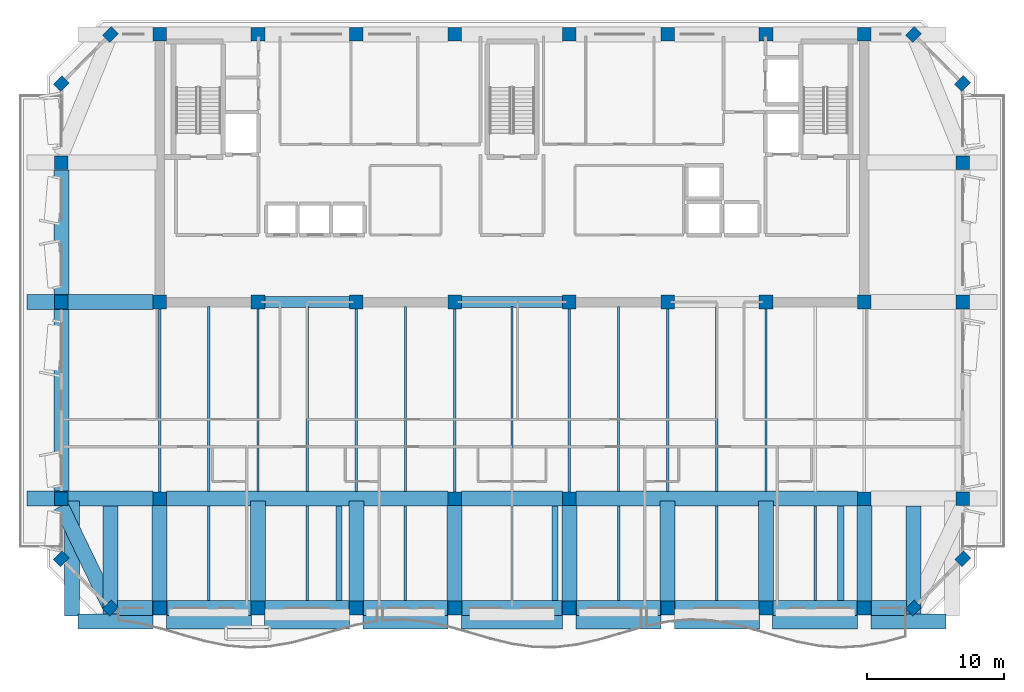
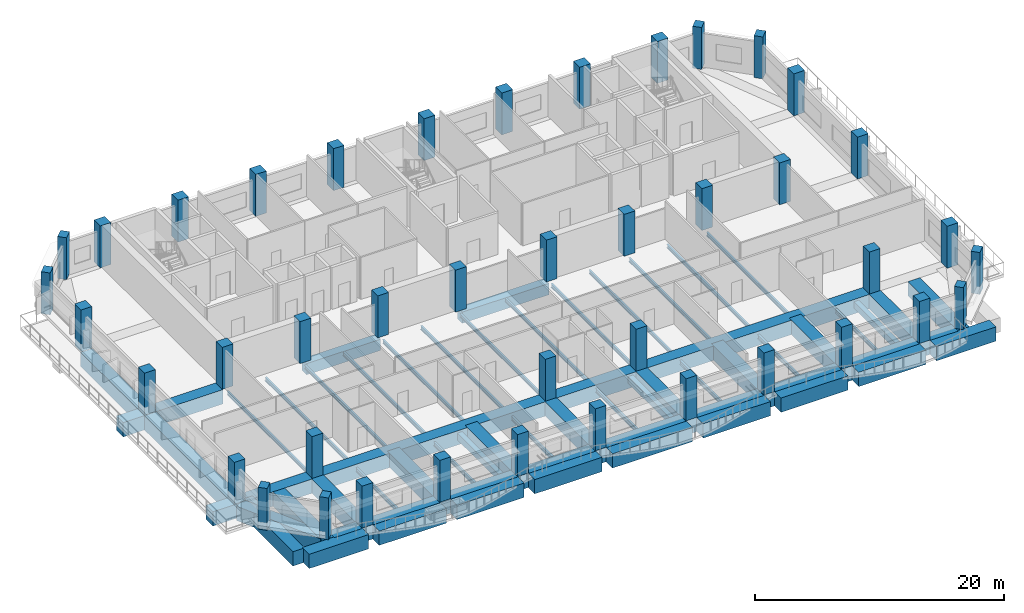
# One storey, part 1 of 12: 62 beams, 42 columns.
"""IFC4 building model written with IfcOpenShell, lengths in metres."""

from ifc_helpers import new_model, si_unit, direction, frame, origin, origin_2d, place, context, subcontext, project, spatial, rectangle, i_section, extrude, material, material_profile, profile_set, type_object, element, save


model = new_model("IFC4")

# Units and contexts
model_context = context("Model", 3, precision=1e-05, world=origin(), true_north=direction((0.0, 1.0)))
body_context = subcontext(model_context, "Body", "Model", "MODEL_VIEW")
ifc_project = project(units=[si_unit("LENGTHUNIT", "METRE"), si_unit("AREAUNIT", "SQUARE_METRE"), si_unit("VOLUMEUNIT", "CUBIC_METRE"), si_unit("PLANEANGLEUNIT", "RADIAN"), si_unit("MASSUNIT", "GRAM", prefix="KILO")], contexts=[model_context])

# Site, building, storey
site_placement = place(None, origin())
site = spatial("IfcSite", under=ifc_project, at=site_placement, CompositionType="ELEMENT")
building_placement = place(site_placement, origin())
building = spatial("IfcBuilding", under=site, at=building_placement, Name="Kaelvorn Grand Hotel", CompositionType="ELEMENT")
storey_placement = place(building_placement, frame((0.0, 0.0, 285.89990234375)))
storey = spatial("IfcBuildingStorey", under=building, at=storey_placement, Name="L70", CompositionType="ELEMENT", Elevation=285.89990234375)

# Columns
ifc_material_1 = material(Name="Concrete C60/75", Category="concrete")
ifc_material_profile_1 = material_profile(ifc_material_1, rectangle(XDim=0.89990234375, YDim=0.75, at=origin_2d()), Name="RC PILASTER 900x750")
ifc_profile_set_1 = profile_set([ifc_material_profile_1], Name="Concrete C60/75")
column_type_1 = type_object("IfcColumnType", Name="COL-PIL-900x750-C60", PredefinedType="PILASTER", material=ifc_profile_set_1)
for number, where, z_axis, x_axis, name in (
    (1, (12.60009765625, 7.0, 0.0), (0.0, 0.0, 1.0), (0.707106781187, 0.707106781187, 0.0), "L70 Structural Column CH-01"),
    (2, (71.39990234375, 7.0, 0.0), (0.0, 0.0, 1.0), (0.707106781187, 0.707106781187, 0.0), "L70 Structural Column CH-02"),
    (3, (75.0, 10.60009765625, 0.0), (0.0, 0.0, 1.0), (0.707106781187, 0.707106781187, 0.0), "L70 Structural Column CH-03"),
    (4, (75.0, 45.39990234375, 0.0), (0.0, 0.0, 1.0), (0.707106781187, 0.707106781187, 0.0), "L70 Structural Column CH-04"),
    (5, (71.39990234375, 49.0, 0.0), (0.0, 0.0, 1.0), (0.707106781187, 0.707106781187, 0.0), "L70 Structural Column CH-05"),
    (6, (12.60009765625, 49.0, 0.0), (0.0, 0.0, 1.0), (0.707106781187, 0.707106781187, 0.0), "L70 Structural Column CH-06"),
    (7, (9.0, 45.39990234375, 0.0), (0.0, 0.0, 1.0), (0.707106781187, 0.707106781187, 0.0), "L70 Structural Column CH-07"),
    (8, (9.0, 10.60009765625, 0.0), (0.0, 0.0, 1.0), (0.707106781187, 0.707106781187, 0.0), "L70 Structural Column CH-08"),
):
    element("IfcColumn", number, at=place(storey_placement, frame(where, z_axis=z_axis, x_axis=x_axis)), inside=storey, type_object=column_type_1, Name=name, PredefinedType="PILASTER", context=body_context, shape_type="SweptSolid", body=[
        extrude(rectangle(XDim=0.89990234375, YDim=0.75, at=origin_2d()), origin(), (0.0, 0.0, 1.0), 4.10009765625),
    ])
ifc_material_2 = material(Name="Concrete C50/60", Category="concrete")
ifc_material_profile_2 = material_profile(ifc_material_2, rectangle(XDim=1.0, YDim=1.0, at=origin_2d()), Name="RC COL 1000x1000")
ifc_profile_set_2 = profile_set([ifc_material_profile_2], Name="Concrete C50/60")
column_type_2 = type_object("IfcColumnType", Name="COL-RC-1000-C50", PredefinedType="COLUMN", material=ifc_profile_set_2)
for number, where, z_axis, x_axis, name in (
    (9, (16.199951171875, 7.0, 0.0), (0.0, 0.0, 1.0), (1.0, 0.0, 0.0), "L70 Structural Column S-01"),
    (10, (23.39990234375, 7.0, 0.0), (0.0, 0.0, 1.0), (1.0, 0.0, 0.0), "L70 Structural Column S-02"),
    (11, (30.60009765625, 7.0, 0.0), (0.0, 0.0, 1.0), (1.0, 0.0, 0.0), "L70 Structural Column S-03"),
    (12, (37.800048828125, 7.0, 0.0), (0.0, 0.0, 1.0), (1.0, 0.0, 0.0), "L70 Structural Column S-04"),
    (13, (46.199951171875, 7.0, 0.0), (0.0, 0.0, 1.0), (1.0, 0.0, 0.0), "L70 Structural Column S-05"),
    (14, (53.39990234375, 7.0, 0.0), (0.0, 0.0, 1.0), (1.0, 0.0, 0.0), "L70 Structural Column S-06"),
    (15, (60.60009765625, 7.0, 0.0), (0.0, 0.0, 1.0), (1.0, 0.0, 0.0), "L70 Structural Column S-07"),
    (16, (67.800048828125, 7.0, 0.0), (0.0, 0.0, 1.0), (1.0, 0.0, 0.0), "L70 Structural Column S-08"),
    (17, (9.0, 15.0, 0.0), (0.0, 0.0, 1.0), (1.0, 0.0, 0.0), "L70 Structural Column W-01"),
    (18, (75.0, 15.0, 0.0), (0.0, 0.0, 1.0), (1.0, 0.0, 0.0), "L70 Structural Column E-01"),
    (19, (9.0, 29.39990234375, 0.0), (0.0, 0.0, 1.0), (1.0, 0.0, 0.0), "L70 Structural Column W-02"),
    (20, (75.0, 29.39990234375, 0.0), (0.0, 0.0, 1.0), (1.0, 0.0, 0.0), "L70 Structural Column E-02"),
    (21, (9.0, 39.60009765625, 0.0), (0.0, 0.0, 1.0), (1.0, 0.0, 0.0), "L70 Structural Column W-03"),
    (22, (75.0, 39.60009765625, 0.0), (0.0, 0.0, 1.0), (1.0, 0.0, 0.0), "L70 Structural Column E-03"),
    (23, (16.199951171875, 15.0, 0.0), (0.0, 0.0, 1.0), (1.0, 0.0, 0.0), "L70 Structural Column M-01"),
    (24, (37.800048828125, 15.0, 0.0), (0.0, 0.0, 1.0), (1.0, 0.0, 0.0), "L70 Structural Column M-02"),
    (25, (46.199951171875, 15.0, 0.0), (0.0, 0.0, 1.0), (1.0, 0.0, 0.0), "L70 Structural Column M-03"),
    (26, (67.800048828125, 15.0, 0.0), (0.0, 0.0, 1.0), (1.0, 0.0, 0.0), "L70 Structural Column M-04"),
    (27, (16.199951171875, 29.39990234375, 0.0), (0.0, 0.0, 1.0), (1.0, 0.0, 0.0), "L70 Structural Column CR1-01"),
    (28, (16.199951171875, 49.0, 0.0), (0.0, 0.0, 1.0), (1.0, 0.0, 0.0), "L70 Structural Column CR2-01"),
    (29, (23.39990234375, 29.39990234375, 0.0), (0.0, 0.0, 1.0), (1.0, 0.0, 0.0), "L70 Structural Column CR1-02"),
    (30, (23.39990234375, 49.0, 0.0), (0.0, 0.0, 1.0), (1.0, 0.0, 0.0), "L70 Structural Column CR2-02"),
    (31, (30.60009765625, 29.39990234375, 0.0), (0.0, 0.0, 1.0), (1.0, 0.0, 0.0), "L70 Structural Column CR1-03"),
    (32, (30.60009765625, 49.0, 0.0), (0.0, 0.0, 1.0), (1.0, 0.0, 0.0), "L70 Structural Column CR2-03"),
    (33, (37.800048828125, 29.39990234375, 0.0), (0.0, 0.0, 1.0), (1.0, 0.0, 0.0), "L70 Structural Column CR1-04"),
    (34, (37.800048828125, 49.0, 0.0), (0.0, 0.0, 1.0), (1.0, 0.0, 0.0), "L70 Structural Column CR2-04"),
    (35, (46.199951171875, 29.39990234375, 0.0), (0.0, 0.0, 1.0), (1.0, 0.0, 0.0), "L70 Structural Column CR1-05"),
    (36, (46.199951171875, 49.0, 0.0), (0.0, 0.0, 1.0), (1.0, 0.0, 0.0), "L70 Structural Column CR2-05"),
    (37, (53.39990234375, 29.39990234375, 0.0), (0.0, 0.0, 1.0), (1.0, 0.0, 0.0), "L70 Structural Column CR1-06"),
    (38, (53.39990234375, 49.0, 0.0), (0.0, 0.0, 1.0), (1.0, 0.0, 0.0), "L70 Structural Column CR2-06"),
    (39, (60.60009765625, 29.39990234375, 0.0), (0.0, 0.0, 1.0), (1.0, 0.0, 0.0), "L70 Structural Column CR1-07"),
    (40, (60.60009765625, 49.0, 0.0), (0.0, 0.0, 1.0), (1.0, 0.0, 0.0), "L70 Structural Column CR2-07"),
    (41, (67.800048828125, 29.39990234375, 0.0), (0.0, 0.0, 1.0), (1.0, 0.0, 0.0), "L70 Structural Column CR1-08"),
    (42, (67.800048828125, 49.0, 0.0), (0.0, 0.0, 1.0), (1.0, 0.0, 0.0), "L70 Structural Column CR2-08"),
):
    element("IfcColumn", number, at=place(storey_placement, frame(where, z_axis=z_axis, x_axis=x_axis)), inside=storey, type_object=column_type_2, Name=name, PredefinedType="COLUMN", context=body_context, shape_type="SweptSolid", body=[
        extrude(rectangle(XDim=1.0, YDim=1.0, at=origin_2d()), origin(), (0.0, 0.0, 1.0), 4.10009765625),
    ])

# Beams
ifc_material_3 = material(Name="Steel S355", Category="steel")
ifc_material_profile_3 = material_profile(ifc_material_3, i_section(OverallWidth=0.169921875, OverallDepth=0.360107421875, WebThickness=0.008056640625, FlangeThickness=0.0126953125, FilletRadius=0.01806640625, at=origin_2d()), Name="IPE 360")
ifc_profile_set_3 = profile_set([ifc_material_profile_3], Name="Steel S355")
beam_type_1 = type_object("IfcBeamType", Name="BM-J-IPE360-S355", PredefinedType="JOIST", material=ifc_profile_set_3)
beam_1_placement = place(storey_placement, frame((16.199951171875, 15.485107421875, -0.47998046875), z_axis=(0.0, 1.0, 0.0), x_axis=(-1.0, 0.0, 0.0)))
element("IfcBeam", 43, at=beam_1_placement, inside=storey, type_object=beam_type_1, Name="L70 Composite Floor Joist JM-05", PredefinedType="JOIST", context=body_context, shape_type="SweptSolid", body=[
    extrude(i_section(OverallWidth=0.169921875, OverallDepth=0.360107421875, WebThickness=0.008056640625, FlangeThickness=0.0126953125, FilletRadius=0.01806640625, at=origin_2d()), origin(), (0.0, 0.0, 1.0), 13.429931640625),
])
beam_2_placement = place(storey_placement, frame((19.800048828125, 15.534912109375, -0.47998046875), z_axis=(0.0, 1.0, 0.0), x_axis=(-1.0, 0.0, 0.0)))
element("IfcBeam", 44, at=beam_2_placement, inside=storey, type_object=beam_type_1, Name="L70 Composite Floor Joist JM-06", PredefinedType="JOIST", context=body_context, shape_type="SweptSolid", body=[
    extrude(i_section(OverallWidth=0.169921875, OverallDepth=0.360107421875, WebThickness=0.008056640625, FlangeThickness=0.0126953125, FilletRadius=0.01806640625, at=origin_2d()), origin(), (0.0, 0.0, 1.0), 13.525146484375),
])
beam_3_placement = place(storey_placement, frame((23.39990234375, 15.534912109375, -0.47998046875), z_axis=(0.0, 1.0, 0.0), x_axis=(-1.0, 0.0, 0.0)))
element("IfcBeam", 45, at=beam_3_placement, inside=storey, type_object=beam_type_1, Name="L70 Composite Floor Joist JM-07", PredefinedType="JOIST", context=body_context, shape_type="SweptSolid", body=[
    extrude(i_section(OverallWidth=0.169921875, OverallDepth=0.360107421875, WebThickness=0.008056640625, FlangeThickness=0.0126953125, FilletRadius=0.01806640625, at=origin_2d()), origin(), (0.0, 0.0, 1.0), 13.380126953125),
])
beam_4_placement = place(storey_placement, frame((27.0, 15.534912109375, -0.47998046875), z_axis=(0.0, 1.0, 0.0), x_axis=(-1.0, 0.0, 0.0)))
element("IfcBeam", 46, at=beam_4_placement, inside=storey, type_object=beam_type_1, Name="L70 Composite Floor Joist JM-08", PredefinedType="JOIST", context=body_context, shape_type="SweptSolid", body=[
    extrude(i_section(OverallWidth=0.169921875, OverallDepth=0.360107421875, WebThickness=0.008056640625, FlangeThickness=0.0126953125, FilletRadius=0.01806640625, at=origin_2d()), origin(), (0.0, 0.0, 1.0), 13.525146484375),
])
beam_5_placement = place(storey_placement, frame((30.60009765625, 15.534912109375, -0.47998046875), z_axis=(0.0, 1.0, 0.0), x_axis=(-1.0, 0.0, 0.0)))
element("IfcBeam", 47, at=beam_5_placement, inside=storey, type_object=beam_type_1, Name="L70 Composite Floor Joist JM-09", PredefinedType="JOIST", context=body_context, shape_type="SweptSolid", body=[
    extrude(i_section(OverallWidth=0.169921875, OverallDepth=0.360107421875, WebThickness=0.008056640625, FlangeThickness=0.0126953125, FilletRadius=0.01806640625, at=origin_2d()), origin(), (0.0, 0.0, 1.0), 13.380126953125),
])
beam_6_placement = place(storey_placement, frame((34.199951171875, 15.534912109375, -0.47998046875), z_axis=(0.0, 1.0, 0.0), x_axis=(-1.0, 0.0, 0.0)))
element("IfcBeam", 48, at=beam_6_placement, inside=storey, type_object=beam_type_1, Name="L70 Composite Floor Joist JM-10", PredefinedType="JOIST", context=body_context, shape_type="SweptSolid", body=[
    extrude(i_section(OverallWidth=0.169921875, OverallDepth=0.360107421875, WebThickness=0.008056640625, FlangeThickness=0.0126953125, FilletRadius=0.01806640625, at=origin_2d()), origin(), (0.0, 0.0, 1.0), 13.525146484375),
])
beam_7_placement = place(storey_placement, frame((37.800048828125, 15.485107421875, -0.47998046875), z_axis=(0.0, 1.0, 0.0), x_axis=(-1.0, 0.0, 0.0)))
element("IfcBeam", 49, at=beam_7_placement, inside=storey, type_object=beam_type_1, Name="L70 Composite Floor Joist JM-11", PredefinedType="JOIST", context=body_context, shape_type="SweptSolid", body=[
    extrude(i_section(OverallWidth=0.169921875, OverallDepth=0.360107421875, WebThickness=0.008056640625, FlangeThickness=0.0126953125, FilletRadius=0.01806640625, at=origin_2d()), origin(), (0.0, 0.0, 1.0), 13.429931640625),
])
beam_8_placement = place(storey_placement, frame((42.0, 15.534912109375, -0.47998046875), z_axis=(0.0, 1.0, 0.0), x_axis=(-1.0, 0.0, 0.0)))
element("IfcBeam", 50, at=beam_8_placement, inside=storey, type_object=beam_type_1, Name="L70 Composite Floor Joist JM-12", PredefinedType="JOIST", context=body_context, shape_type="SweptSolid", body=[
    extrude(i_section(OverallWidth=0.169921875, OverallDepth=0.360107421875, WebThickness=0.008056640625, FlangeThickness=0.0126953125, FilletRadius=0.01806640625, at=origin_2d()), origin(), (0.0, 0.0, 1.0), 13.525146484375),
])
beam_9_placement = place(storey_placement, frame((46.199951171875, 15.485107421875, -0.47998046875), z_axis=(0.0, 1.0, 0.0), x_axis=(-1.0, 0.0, 0.0)))
element("IfcBeam", 51, at=beam_9_placement, inside=storey, type_object=beam_type_1, Name="L70 Composite Floor Joist JM-13", PredefinedType="JOIST", context=body_context, shape_type="SweptSolid", body=[
    extrude(i_section(OverallWidth=0.169921875, OverallDepth=0.360107421875, WebThickness=0.008056640625, FlangeThickness=0.0126953125, FilletRadius=0.01806640625, at=origin_2d()), origin(), (0.0, 0.0, 1.0), 13.429931640625),
])
beam_10_placement = place(storey_placement, frame((49.800048828125, 15.534912109375, -0.47998046875), z_axis=(0.0, 1.0, 0.0), x_axis=(-1.0, 0.0, 0.0)))
element("IfcBeam", 52, at=beam_10_placement, inside=storey, type_object=beam_type_1, Name="L70 Composite Floor Joist JM-14", PredefinedType="JOIST", context=body_context, shape_type="SweptSolid", body=[
    extrude(i_section(OverallWidth=0.169921875, OverallDepth=0.360107421875, WebThickness=0.008056640625, FlangeThickness=0.0126953125, FilletRadius=0.01806640625, at=origin_2d()), origin(), (0.0, 0.0, 1.0), 13.525146484375),
])
beam_11_placement = place(storey_placement, frame((53.39990234375, 15.534912109375, -0.47998046875), z_axis=(0.0, 1.0, 0.0), x_axis=(-1.0, 0.0, 0.0)))
element("IfcBeam", 53, at=beam_11_placement, inside=storey, type_object=beam_type_1, Name="L70 Composite Floor Joist JM-15", PredefinedType="JOIST", context=body_context, shape_type="SweptSolid", body=[
    extrude(i_section(OverallWidth=0.169921875, OverallDepth=0.360107421875, WebThickness=0.008056640625, FlangeThickness=0.0126953125, FilletRadius=0.01806640625, at=origin_2d()), origin(), (0.0, 0.0, 1.0), 13.380126953125),
])
beam_12_placement = place(storey_placement, frame((57.0, 15.534912109375, -0.47998046875), z_axis=(0.0, 1.0, 0.0), x_axis=(-1.0, 0.0, 0.0)))
element("IfcBeam", 54, at=beam_12_placement, inside=storey, type_object=beam_type_1, Name="L70 Composite Floor Joist JM-16", PredefinedType="JOIST", context=body_context, shape_type="SweptSolid", body=[
    extrude(i_section(OverallWidth=0.169921875, OverallDepth=0.360107421875, WebThickness=0.008056640625, FlangeThickness=0.0126953125, FilletRadius=0.01806640625, at=origin_2d()), origin(), (0.0, 0.0, 1.0), 13.525146484375),
])
beam_13_placement = place(storey_placement, frame((60.60009765625, 15.534912109375, -0.47998046875), z_axis=(0.0, 1.0, 0.0), x_axis=(-1.0, 0.0, 0.0)))
element("IfcBeam", 55, at=beam_13_placement, inside=storey, type_object=beam_type_1, Name="L70 Composite Floor Joist JM-17", PredefinedType="JOIST", context=body_context, shape_type="SweptSolid", body=[
    extrude(i_section(OverallWidth=0.169921875, OverallDepth=0.360107421875, WebThickness=0.008056640625, FlangeThickness=0.0126953125, FilletRadius=0.01806640625, at=origin_2d()), origin(), (0.0, 0.0, 1.0), 13.380126953125),
])
ifc_material_profile_4 = material_profile(ifc_material_3, i_section(OverallWidth=0.179931640625, OverallDepth=0.39990234375, WebThickness=0.008544921875, FlangeThickness=0.013427734375, FilletRadius=0.02099609375, at=origin_2d()), Name="IPE 400")
ifc_profile_set_4 = profile_set([ifc_material_profile_4], Name="Steel S355")
beam_type_2 = type_object("IfcBeamType", Name="BM-J-IPE400-S355", PredefinedType="JOIST", material=ifc_profile_set_4)
for number, where, z_axis, x_axis, name in (
    (56, (19.800048828125, 7.534912109375, -0.5), (0.0, 1.0, 0.0), (-1.0, 0.0, 0.0), "L70 Composite Floor Joist JS-06"),
    (57, (27.0, 7.534912109375, -0.5), (0.0, 1.0, 0.0), (-1.0, 0.0, 0.0), "L70 Composite Floor Joist JS-08"),
    (58, (34.199951171875, 7.534912109375, -0.5), (0.0, 1.0, 0.0), (-1.0, 0.0, 0.0), "L70 Composite Floor Joist JS-10"),
    (59, (42.0, 7.534912109375, -0.5), (0.0, 1.0, 0.0), (-1.0, 0.0, 0.0), "L70 Composite Floor Joist JS-12"),
    (60, (49.800048828125, 7.534912109375, -0.5), (0.0, 1.0, 0.0), (-1.0, 0.0, 0.0), "L70 Composite Floor Joist JS-14"),
    (61, (57.0, 7.534912109375, -0.5), (0.0, 1.0, 0.0), (-1.0, 0.0, 0.0), "L70 Composite Floor Joist JS-16"),
    (62, (64.199951171875, 7.534912109375, -0.5), (0.0, 1.0, 0.0), (-1.0, 0.0, 0.0), "L70 Composite Floor Joist JS-18"),
):
    element("IfcBeam", number, at=place(storey_placement, frame(where, z_axis=z_axis, x_axis=x_axis)), inside=storey, type_object=beam_type_2, Name=name, PredefinedType="JOIST", context=body_context, shape_type="SweptSolid", body=[
        extrude(i_section(OverallWidth=0.179931640625, OverallDepth=0.39990234375, WebThickness=0.008544921875, FlangeThickness=0.013427734375, FilletRadius=0.02099609375, at=origin_2d()), origin(), (0.0, 0.0, 1.0), 6.93017578125),
    ])
ifc_material_profile_5 = material_profile(ifc_material_1, rectangle(XDim=0.800048828125, YDim=1.10009765625, at=origin_2d()), Name="RC LINTEL 800x1100")
ifc_profile_set_5 = profile_set([ifc_material_profile_5], Name="Concrete C60/75")
beam_type_3 = type_object("IfcBeamType", Name="BM-LIN-800x1100-C60", PredefinedType="LINTEL", material=ifc_profile_set_5)
beam_14_placement = place(storey_placement, frame((23.580078125, 29.39990234375, -0.849853515625), z_axis=(1.0, 0.0, 0.0), x_axis=(0.0, 1.0, 0.0)))
element("IfcBeam", 63, at=beam_14_placement, inside=storey, type_object=beam_type_3, Name="L70 Rear-Core Coupling Lintel Beam CB1-01", PredefinedType="LINTEL", context=body_context, shape_type="SweptSolid", body=[
    extrude(rectangle(XDim=0.800048828125, YDim=1.10009765625, at=origin_2d()), origin(), (0.0, 0.0, 1.0), 6.83984375),
])
beam_15_placement = place(storey_placement, frame((37.97998046875, 29.39990234375, -0.849853515625), z_axis=(1.0, 0.0, 0.0), x_axis=(0.0, 1.0, 0.0)))
element("IfcBeam", 64, at=beam_15_placement, inside=storey, type_object=beam_type_3, Name="L70 Rear-Core Coupling Lintel Beam CB1-02", PredefinedType="LINTEL", context=body_context, shape_type="SweptSolid", body=[
    extrude(rectangle(XDim=0.800048828125, YDim=1.10009765625, at=origin_2d()), origin(), (0.0, 0.0, 1.0), 8.0400390625),
])
ifc_material_4 = material(Name="Concrete C40/50", Category="concrete")
ifc_material_profile_6 = material_profile(ifc_material_4, rectangle(XDim=0.449951171875, YDim=0.64990234375, at=origin_2d()), Name="RC RIB 450x650")
ifc_profile_set_6 = profile_set([ifc_material_profile_6], Name="Concrete C40/50")
beam_type_4 = type_object("IfcBeamType", Name="BM-RIB-450x650-C40", PredefinedType="SPANDREL", material=ifc_profile_set_6)
for number, where, z_axis, x_axis, name in (
    (65, (29.333251953125, 7.534912109375, -0.544921875), (0.0, 1.0, 0.0), (-1.0, 0.0, 0.0), "L70 Cantilevered Balcony Back-Span Rib RB1-1"),
    (66, (45.155517578125, 7.534912109375, -0.544921875), (0.0, 1.0, 0.0), (-1.0, 0.0, 0.0), "L70 Cantilevered Balcony Back-Span Rib RB1-2"),
    (67, (66.066650390625, 7.534912109375, -0.544921875), (0.0, 1.0, 0.0), (-1.0, 0.0, 0.0), "L70 Cantilevered Balcony Back-Span Rib RB1-3"),
):
    element("IfcBeam", number, at=place(storey_placement, frame(where, z_axis=z_axis, x_axis=x_axis)), inside=storey, type_object=beam_type_4, Name=name, PredefinedType="SPANDREL", context=body_context, shape_type="SweptSolid", body=[
        extrude(rectangle(XDim=0.449951171875, YDim=0.64990234375, at=origin_2d()), origin(), (0.0, 0.0, 1.0), 6.925048828125),
    ])
ifc_material_profile_7 = material_profile(ifc_material_1, rectangle(XDim=1.10009765625, YDim=1.39990234375, at=origin_2d()), Name="RC TG 1100x1400")
ifc_profile_set_7 = profile_set([ifc_material_profile_7], Name="Concrete C60/75")
beam_type_5 = type_object("IfcBeamType", Name="BM-TG-1100x1400-C60", PredefinedType="USERDEFINED", material=ifc_profile_set_7)
beam_16_placement = place(storey_placement, frame((6.485107421875, 15.0, -0.699951171875), z_axis=(1.0, 0.0, 0.0), x_axis=(0.0, 1.0, 0.0)))
element("IfcBeam", 68, at=beam_16_placement, inside=storey, type_object=beam_type_5, Name="L70 Setback Spine Transfer Girder TG2-M15 01", ObjectType="TRANSFER GIRDER", PredefinedType="USERDEFINED", context=body_context, shape_type="SweptSolid", body=[
    extrude(rectangle(XDim=1.10009765625, YDim=1.39990234375, at=origin_2d()), origin(), (0.0, 0.0, 1.0), 9.22998046875),
])
beam_17_placement = place(storey_placement, frame((16.68505859375, 15.0, -0.699951171875), z_axis=(1.0, 0.0, 0.0), x_axis=(0.0, 1.0, 0.0)))
element("IfcBeam", 69, at=beam_17_placement, inside=storey, type_object=beam_type_5, Name="L70 Setback Spine Transfer Girder TG2-M15 02", ObjectType="TRANSFER GIRDER", PredefinedType="USERDEFINED", context=body_context, shape_type="SweptSolid", body=[
    extrude(rectangle(XDim=1.10009765625, YDim=1.39990234375, at=origin_2d()), origin(), (0.0, 0.0, 1.0), 20.6298828125),
])
beam_18_placement = place(storey_placement, frame((38.284912109375, 15.0, -0.699951171875), z_axis=(1.0, 0.0, 0.0), x_axis=(0.0, 1.0, 0.0)))
element("IfcBeam", 70, at=beam_18_placement, inside=storey, type_object=beam_type_5, Name="L70 Setback Spine Transfer Girder TG2-M15 03", ObjectType="TRANSFER GIRDER", PredefinedType="USERDEFINED", context=body_context, shape_type="SweptSolid", body=[
    extrude(rectangle(XDim=1.10009765625, YDim=1.39990234375, at=origin_2d()), origin(), (0.0, 0.0, 1.0), 7.43017578125),
])
beam_19_placement = place(storey_placement, frame((46.68505859375, 15.0, -0.699951171875), z_axis=(1.0, 0.0, 0.0), x_axis=(0.0, 1.0, 0.0)))
element("IfcBeam", 71, at=beam_19_placement, inside=storey, type_object=beam_type_5, Name="L70 Setback Spine Transfer Girder TG2-M15 04", ObjectType="TRANSFER GIRDER", PredefinedType="USERDEFINED", context=body_context, shape_type="SweptSolid", body=[
    extrude(rectangle(XDim=1.10009765625, YDim=1.39990234375, at=origin_2d()), origin(), (0.0, 0.0, 1.0), 20.6298828125),
])
beam_20_placement = place(storey_placement, frame((9.800048828125, 6.405029296875, -0.699951171875), z_axis=(0.0, 1.0, 0.0), x_axis=(-1.0, 0.0, 0.0)))
element("IfcBeam", 72, at=beam_20_placement, inside=storey, type_object=beam_type_5, Name="L70 Setback Radial Transfer Girder TG2-S01 01", ObjectType="TRANSFER GIRDER", PredefinedType="USERDEFINED", context=body_context, shape_type="SweptSolid", body=[
    extrude(rectangle(XDim=1.10009765625, YDim=1.39990234375, at=origin_2d()), origin(), (0.0, 0.0, 1.0), 8.409912109375),
])
beam_21_placement = place(storey_placement, frame((16.199951171875, 6.485107421875, -0.699951171875), z_axis=(0.0, 1.0, 0.0), x_axis=(-1.0, 0.0, 0.0)))
element("IfcBeam", 73, at=beam_21_placement, inside=storey, type_object=beam_type_5, Name="L70 Setback Radial Transfer Girder TG2-S02 01", ObjectType="TRANSFER GIRDER", PredefinedType="USERDEFINED", context=body_context, shape_type="SweptSolid", body=[
    extrude(rectangle(XDim=1.10009765625, YDim=1.39990234375, at=origin_2d()), origin(), (0.0, 0.0, 1.0), 8.02978515625),
])
for number, where, z_axis, x_axis, name in (
    (74, (23.39990234375, 6.485107421875, -0.699951171875), (0.0, 1.0, 0.0), (-1.0, 0.0, 0.0), "L70 Setback Radial Transfer Girder TG2-S03 01"),
    (75, (30.60009765625, 6.485107421875, -0.699951171875), (0.0, 1.0, 0.0), (-1.0, 0.0, 0.0), "L70 Setback Radial Transfer Girder TG2-S04 01"),
):
    element("IfcBeam", number, at=place(storey_placement, frame(where, z_axis=z_axis, x_axis=x_axis)), inside=storey, type_object=beam_type_5, Name=name, ObjectType="TRANSFER GIRDER", PredefinedType="USERDEFINED", context=body_context, shape_type="SweptSolid", body=[
        extrude(rectangle(XDim=1.10009765625, YDim=1.39990234375, at=origin_2d()), origin(), (0.0, 0.0, 1.0), 8.329833984375),
    ])
for number, where, z_axis, x_axis, name in (
    (76, (37.800048828125, 6.485107421875, -0.699951171875), (0.0, 1.0, 0.0), (-1.0, 0.0, 0.0), "L70 Setback Radial Transfer Girder TG2-S05 01"),
    (77, (46.199951171875, 6.485107421875, -0.699951171875), (0.0, 1.0, 0.0), (-1.0, 0.0, 0.0), "L70 Setback Radial Transfer Girder TG2-S06 01"),
):
    element("IfcBeam", number, at=place(storey_placement, frame(where, z_axis=z_axis, x_axis=x_axis)), inside=storey, type_object=beam_type_5, Name=name, ObjectType="TRANSFER GIRDER", PredefinedType="USERDEFINED", context=body_context, shape_type="SweptSolid", body=[
        extrude(rectangle(XDim=1.10009765625, YDim=1.39990234375, at=origin_2d()), origin(), (0.0, 0.0, 1.0), 8.02978515625),
    ])
for number, where, z_axis, x_axis, name in (
    (78, (53.39990234375, 6.485107421875, -0.699951171875), (0.0, 1.0, 0.0), (-1.0, 0.0, 0.0), "L70 Setback Radial Transfer Girder TG2-S07 01"),
    (79, (60.60009765625, 6.485107421875, -0.699951171875), (0.0, 1.0, 0.0), (-1.0, 0.0, 0.0), "L70 Setback Radial Transfer Girder TG2-S08 01"),
):
    element("IfcBeam", number, at=place(storey_placement, frame(where, z_axis=z_axis, x_axis=x_axis)), inside=storey, type_object=beam_type_5, Name=name, ObjectType="TRANSFER GIRDER", PredefinedType="USERDEFINED", context=body_context, shape_type="SweptSolid", body=[
        extrude(rectangle(XDim=1.10009765625, YDim=1.39990234375, at=origin_2d()), origin(), (0.0, 0.0, 1.0), 8.329833984375),
    ])
beam_22_placement = place(storey_placement, frame((67.800048828125, 6.485107421875, -0.699951171875), z_axis=(0.0, 1.0, 0.0), x_axis=(-1.0, 0.0, 0.0)))
element("IfcBeam", 80, at=beam_22_placement, inside=storey, type_object=beam_type_5, Name="L70 Setback Radial Transfer Girder TG2-S09 01", ObjectType="TRANSFER GIRDER", PredefinedType="USERDEFINED", context=body_context, shape_type="SweptSolid", body=[
    extrude(rectangle(XDim=1.10009765625, YDim=1.39990234375, at=origin_2d()), origin(), (0.0, 0.0, 1.0), 8.02978515625),
])
beam_23_placement = place(storey_placement, frame((6.485107421875, 29.39990234375, -0.699951171875), z_axis=(1.0, 0.0, 0.0), x_axis=(0.0, 1.0, 0.0)))
element("IfcBeam", 81, at=beam_23_placement, inside=storey, type_object=beam_type_5, Name="L70 Setback Radial Transfer Girder TG2-W01 01", ObjectType="TRANSFER GIRDER", PredefinedType="USERDEFINED", context=body_context, shape_type="SweptSolid", body=[
    extrude(rectangle(XDim=1.10009765625, YDim=1.39990234375, at=origin_2d()), origin(), (0.0, 0.0, 1.0), 9.22998046875),
])
beam_24_placement = place(storey_placement, frame((10.205078125, 6.0, -0.699951171875), z_axis=(1.0, 0.0, 0.0), x_axis=(0.0, 1.0, 0.0)))
element("IfcBeam", 82, at=beam_24_placement, inside=storey, type_object=beam_type_5, Name="L70 Setback Outer South Transfer Girder 01", ObjectType="TRANSFER GIRDER", PredefinedType="USERDEFINED", context=body_context, shape_type="SweptSolid", body=[
    extrude(rectangle(XDim=1.10009765625, YDim=1.39990234375, at=origin_2d()), origin(), (0.0, 0.0, 1.0), 5.510009765625),
])
for number, where, z_axis, x_axis, name in (
    (83, (16.68505859375, 6.0, -0.699951171875), (1.0, 0.0, 0.0), (0.0, 1.0, 0.0), "L70 Setback Outer South Transfer Girder 02"),
    (84, (23.885009765625, 6.0, -0.699951171875), (1.0, 0.0, 0.0), (0.0, 1.0, 0.0), "L70 Setback Outer South Transfer Girder 03"),
    (85, (31.0849609375, 6.0, -0.699951171875), (1.0, 0.0, 0.0), (0.0, 1.0, 0.0), "L70 Setback Outer South Transfer Girder 04"),
):
    element("IfcBeam", number, at=place(storey_placement, frame(where, z_axis=z_axis, x_axis=x_axis)), inside=storey, type_object=beam_type_5, Name=name, ObjectType="TRANSFER GIRDER", PredefinedType="USERDEFINED", context=body_context, shape_type="SweptSolid", body=[
        extrude(rectangle(XDim=1.10009765625, YDim=1.39990234375, at=origin_2d()), origin(), (0.0, 0.0, 1.0), 6.22998046875),
    ])
beam_25_placement = place(storey_placement, frame((38.284912109375, 6.0, -0.699951171875), z_axis=(1.0, 0.0, 0.0), x_axis=(0.0, 1.0, 0.0)))
element("IfcBeam", 86, at=beam_25_placement, inside=storey, type_object=beam_type_5, Name="L70 Setback Outer South Transfer Girder 05", ObjectType="TRANSFER GIRDER", PredefinedType="USERDEFINED", context=body_context, shape_type="SweptSolid", body=[
    extrude(rectangle(XDim=1.10009765625, YDim=1.39990234375, at=origin_2d()), origin(), (0.0, 0.0, 1.0), 7.43017578125),
])
for number, where, z_axis, x_axis, name in (
    (87, (46.68505859375, 6.0, -0.699951171875), (1.0, 0.0, 0.0), (0.0, 1.0, 0.0), "L70 Setback Outer South Transfer Girder 06"),
    (88, (53.885009765625, 6.0, -0.699951171875), (1.0, 0.0, 0.0), (0.0, 1.0, 0.0), "L70 Setback Outer South Transfer Girder 07"),
    (89, (61.0849609375, 6.0, -0.699951171875), (1.0, 0.0, 0.0), (0.0, 1.0, 0.0), "L70 Setback Outer South Transfer Girder 08"),
):
    element("IfcBeam", number, at=place(storey_placement, frame(where, z_axis=z_axis, x_axis=x_axis)), inside=storey, type_object=beam_type_5, Name=name, ObjectType="TRANSFER GIRDER", PredefinedType="USERDEFINED", context=body_context, shape_type="SweptSolid", body=[
        extrude(rectangle(XDim=1.10009765625, YDim=1.39990234375, at=origin_2d()), origin(), (0.0, 0.0, 1.0), 6.22998046875),
    ])
beam_26_placement = place(storey_placement, frame((68.284912109375, 6.0, -0.699951171875), z_axis=(1.0, 0.0, 0.0), x_axis=(0.0, 1.0, 0.0)))
element("IfcBeam", 90, at=beam_26_placement, inside=storey, type_object=beam_type_5, Name="L70 Setback Outer South Transfer Girder 09", ObjectType="TRANSFER GIRDER", PredefinedType="USERDEFINED", context=body_context, shape_type="SweptSolid", body=[
    extrude(rectangle(XDim=1.10009765625, YDim=1.39990234375, at=origin_2d()), origin(), (0.0, 0.0, 1.0), 5.510009765625),
])
for number, where, z_axis, x_axis, name in (
    (91, (12.60009765625, 6.534912109375, -0.699951171875), (0.0, 1.0, 0.0), (-1.0, 0.0, 0.0), "L70 Setback Corner Radial Transfer Girder CHW"),
    (92, (71.39990234375, 6.534912109375, -0.699951171875), (0.0, 1.0, 0.0), (-1.0, 0.0, 0.0), "L70 Setback Corner Radial Transfer Girder CHE"),
):
    element("IfcBeam", number, at=place(storey_placement, frame(where, z_axis=z_axis, x_axis=x_axis)), inside=storey, type_object=beam_type_5, Name=name, ObjectType="TRANSFER GIRDER", PredefinedType="USERDEFINED", context=body_context, shape_type="SweptSolid", body=[
        extrude(rectangle(XDim=1.10009765625, YDim=1.39990234375, at=origin_2d()), origin(), (0.0, 0.0, 1.0), 7.93017578125),
    ])
beam_27_placement = place(storey_placement, frame((13.125, 7.0, -0.699951171875), z_axis=(1.0, 0.0, 0.0), x_axis=(0.0, 1.0, 0.0)))
element("IfcBeam", 93, at=beam_27_placement, inside=storey, type_object=beam_type_5, Name="L70 Setback South Ring Transfer Girder 01", ObjectType="TRANSFER GIRDER", PredefinedType="USERDEFINED", context=body_context, shape_type="SweptSolid", body=[
    extrude(rectangle(XDim=1.10009765625, YDim=1.39990234375, at=origin_2d()), origin(), (0.0, 0.0, 1.0), 2.550048828125),
])
for number, where, z_axis, x_axis, name in (
    (94, (16.72509765625, 7.0, -0.699951171875), (1.0, 0.0, 0.0), (0.0, 1.0, 0.0), "L70 Setback South Ring Transfer Girder 02"),
    (95, (23.925048828125, 7.0, -0.699951171875), (1.0, 0.0, 0.0), (0.0, 1.0, 0.0), "L70 Setback South Ring Transfer Girder 03"),
    (96, (31.125, 7.0, -0.699951171875), (1.0, 0.0, 0.0), (0.0, 1.0, 0.0), "L70 Setback South Ring Transfer Girder 04"),
):
    element("IfcBeam", number, at=place(storey_placement, frame(where, z_axis=z_axis, x_axis=x_axis)), inside=storey, type_object=beam_type_5, Name=name, ObjectType="TRANSFER GIRDER", PredefinedType="USERDEFINED", context=body_context, shape_type="SweptSolid", body=[
        extrude(rectangle(XDim=1.10009765625, YDim=1.39990234375, at=origin_2d()), origin(), (0.0, 0.0, 1.0), 6.14990234375),
    ])
beam_28_placement = place(storey_placement, frame((38.324951171875, 7.0, -0.699951171875), z_axis=(1.0, 0.0, 0.0), x_axis=(0.0, 1.0, 0.0)))
element("IfcBeam", 97, at=beam_28_placement, inside=storey, type_object=beam_type_5, Name="L70 Setback South Ring Transfer Girder 05", ObjectType="TRANSFER GIRDER", PredefinedType="USERDEFINED", context=body_context, shape_type="SweptSolid", body=[
    extrude(rectangle(XDim=1.10009765625, YDim=1.39990234375, at=origin_2d()), origin(), (0.0, 0.0, 1.0), 7.35009765625),
])
for number, where, z_axis, x_axis, name in (
    (98, (46.72509765625, 7.0, -0.699951171875), (1.0, 0.0, 0.0), (0.0, 1.0, 0.0), "L70 Setback South Ring Transfer Girder 06"),
    (99, (53.925048828125, 7.0, -0.699951171875), (1.0, 0.0, 0.0), (0.0, 1.0, 0.0), "L70 Setback South Ring Transfer Girder 07"),
    (100, (61.125, 7.0, -0.699951171875), (1.0, 0.0, 0.0), (0.0, 1.0, 0.0), "L70 Setback South Ring Transfer Girder 08"),
):
    element("IfcBeam", number, at=place(storey_placement, frame(where, z_axis=z_axis, x_axis=x_axis)), inside=storey, type_object=beam_type_5, Name=name, ObjectType="TRANSFER GIRDER", PredefinedType="USERDEFINED", context=body_context, shape_type="SweptSolid", body=[
        extrude(rectangle(XDim=1.10009765625, YDim=1.39990234375, at=origin_2d()), origin(), (0.0, 0.0, 1.0), 6.14990234375),
    ])
beam_29_placement = place(storey_placement, frame((68.324951171875, 7.0, -0.699951171875), z_axis=(1.0, 0.0, 0.0), x_axis=(0.0, 1.0, 0.0)))
element("IfcBeam", 101, at=beam_29_placement, inside=storey, type_object=beam_type_5, Name="L70 Setback South Ring Transfer Girder 09", ObjectType="TRANSFER GIRDER", PredefinedType="USERDEFINED", context=body_context, shape_type="SweptSolid", body=[
    extrude(rectangle(XDim=1.10009765625, YDim=1.39990234375, at=origin_2d()), origin(), (0.0, 0.0, 1.0), 2.550048828125),
])
beam_30_placement = place(storey_placement, frame((9.0, 15.52490234375, -0.699951171875), z_axis=(0.0, 1.0, 0.0), x_axis=(-1.0, 0.0, 0.0)))
element("IfcBeam", 102, at=beam_30_placement, inside=storey, type_object=beam_type_5, Name="L70 Setback W Ring Transfer Girder 01", ObjectType="TRANSFER GIRDER", PredefinedType="USERDEFINED", context=body_context, shape_type="SweptSolid", body=[
    extrude(rectangle(XDim=1.10009765625, YDim=1.39990234375, at=origin_2d()), origin(), (0.0, 0.0, 1.0), 13.35009765625),
])
beam_31_placement = place(storey_placement, frame((9.0, 29.925048828125, -0.699951171875), z_axis=(0.0, 1.0, 0.0), x_axis=(-1.0, 0.0, 0.0)))
element("IfcBeam", 103, at=beam_31_placement, inside=storey, type_object=beam_type_5, Name="L70 Setback W Ring Transfer Girder 02", ObjectType="TRANSFER GIRDER", PredefinedType="USERDEFINED", context=body_context, shape_type="SweptSolid", body=[
    extrude(rectangle(XDim=1.10009765625, YDim=1.39990234375, at=origin_2d()), origin(), (0.0, 0.0, 1.0), 9.14990234375),
])
beam_32_placement = place(storey_placement, frame((9.0, 14.449951171875, -0.699951171875), z_axis=(0.435098896695, -0.9003826687, 0.0), x_axis=(0.9003826687, 0.435098896695, 0.0)))
element("IfcBeam", 104, at=beam_32_placement, inside=storey, type_object=beam_type_5, Name="L70 Setback Chamfer Transfer Girder 1", ObjectType="TRANSFER GIRDER", PredefinedType="USERDEFINED", context=body_context, shape_type="SweptSolid", body=[
    extrude(rectangle(XDim=1.10009765625, YDim=1.39990234375, at=origin_2d()), origin(), (0.0, 0.0, 1.0), 8.274169921875),
])

save(model, "model.ifc")
